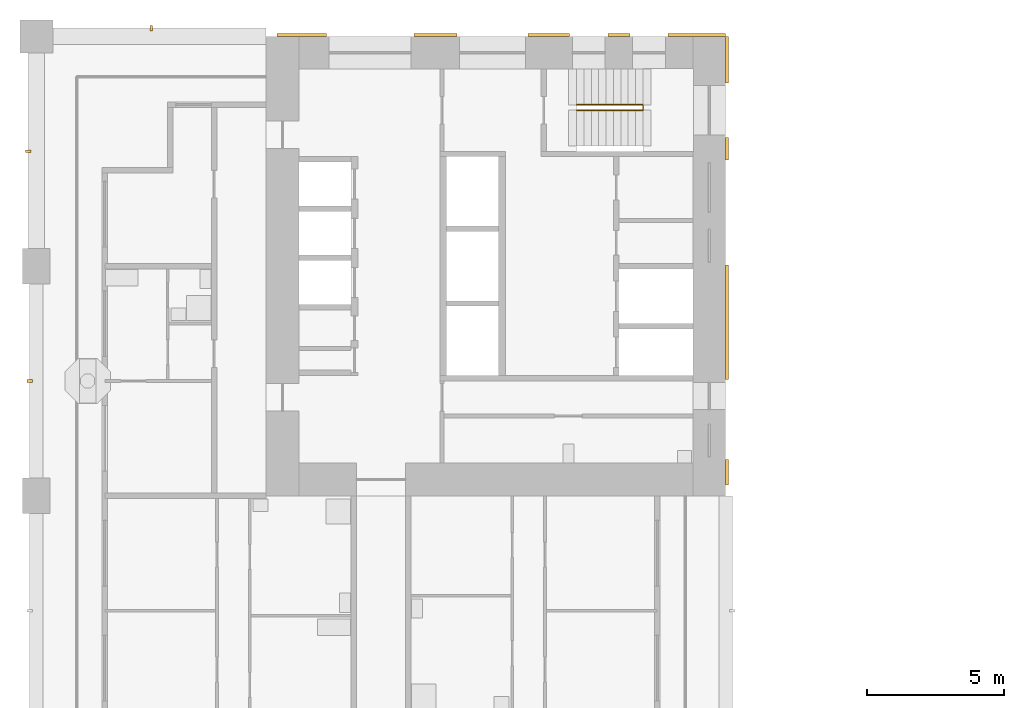
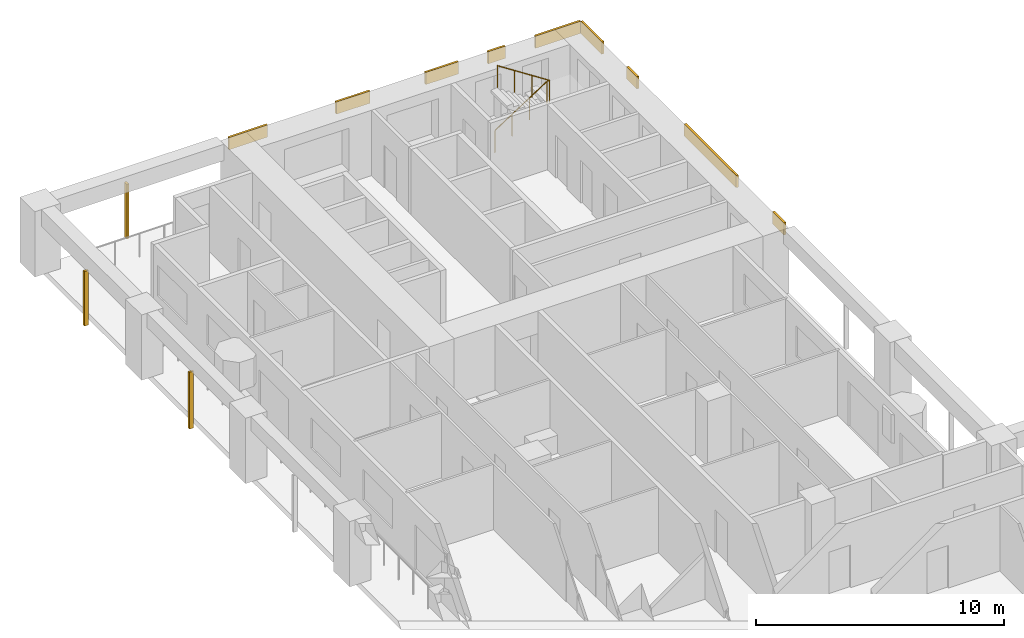
# One storey, part 14 of 18: 12 shading devices, 1 railing.
"""IFC4 building model written with IfcOpenShell, lengths in metres."""

from ifc_helpers import new_model, si_unit, direction, frame, origin, origin_2d, place, context, subcontext, project, spatial, rectangle, circle, extrude, material, layer, layer_set, material_profile, profile_set, type_object, element, save


model = new_model("IFC4")

# Units and contexts
model_context = context("Model", 3, precision=1e-05, world=origin(), true_north=direction((0.0, 1.0)))
body_context = subcontext(model_context, "Body", "Model", "MODEL_VIEW")
ifc_project = project(units=[si_unit("LENGTHUNIT", "METRE"), si_unit("AREAUNIT", "SQUARE_METRE"), si_unit("VOLUMEUNIT", "CUBIC_METRE"), si_unit("PLANEANGLEUNIT", "RADIAN"), si_unit("MASSUNIT", "GRAM", prefix="KILO")], contexts=[model_context])

# Site, building, storey
site_placement = place(None, origin())
site = spatial("IfcSite", under=ifc_project, at=site_placement, CompositionType="ELEMENT")
building_placement = place(site_placement, origin())
building = spatial("IfcBuilding", under=site, at=building_placement, Name="Vermilion Gate Residences", CompositionType="ELEMENT")
storey_placement = place(building_placement, frame((0.0, 0.0, 102.199951171875)))
storey = spatial("IfcBuildingStorey", under=building, at=storey_placement, Name="L25", CompositionType="ELEMENT", Elevation=102.199951171875)

# Railing
ifc_material_1 = material(Name="Steel S355", Category="steel")
railing_type = type_object("IfcRailingType", Name="STAIR GUARD 1100 STEEL", PredefinedType="GUARDRAIL", material=ifc_material_1)
railing_placement = place(storey_placement, frame((19.75, 56.300048828125, 0.175048828125)))
element("IfcRailing", 1, at=railing_placement, inside=storey, type_object=railing_type, Name="Stair well guard STB1-25", PredefinedType="GUARDRAIL", context=body_context, shape_type="SweptSolid", body=[
    extrude(circle(Radius=0.02392578125, at=origin_2d()), frame((0.0, 0.0, 1.076171875), z_axis=(0.839153699163, 0.0, 0.543894354798), x_axis=(0.0, 1.0, 0.0)), (0.0, 0.0, 1.0), 2.895751953125),
    extrude(circle(Radius=0.02392578125, at=origin_2d()), frame((2.429931640625, 0.0, 2.65087890625), z_axis=(0.0, -0.752405939678, 0.658699705433), x_axis=(1.0, 0.0, 0.0)), (0.0, 0.0, 1.0), 0.265869140625),
    extrude(circle(Radius=0.02392578125, at=origin_2d()), frame((2.429931640625, -0.199951171875, 2.826171875), z_axis=(-0.839153699163, 0.0, 0.543894354798), x_axis=(0.0, -1.0, 0.0)), (0.0, 0.0, 1.0), 2.895751953125),
    extrude(circle(Radius=0.02099609375, at=origin_2d()), origin(), (0.0, 0.0, 1.0), 1.052001953125),
    extrude(circle(Radius=0.02099609375, at=origin_2d()), frame((0.81005859375, 0.0, 0.52490234375)), (0.0, 0.0, 1.0), 1.052001953125),
    extrude(circle(Radius=0.02099609375, at=origin_2d()), frame((1.619873046875, 0.0, 1.050048828125)), (0.0, 0.0, 1.0), 1.052001953125),
    extrude(circle(Radius=0.02099609375, at=origin_2d()), frame((2.429931640625, 0.0, 1.574951171875)), (0.0, 0.0, 1.0), 1.052001953125),
    extrude(circle(Radius=0.02099609375, at=origin_2d()), frame((2.429931640625, -0.199951171875, 1.75)), (0.0, 0.0, 1.0), 1.052001953125),
    extrude(circle(Radius=0.02099609375, at=origin_2d()), frame((1.619873046875, -0.199951171875, 2.27490234375)), (0.0, 0.0, 1.0), 1.052001953125),
    extrude(circle(Radius=0.02099609375, at=origin_2d()), frame((0.81005859375, -0.199951171875, 2.800048828125)), (0.0, 0.0, 1.0), 1.052001953125),
    extrude(circle(Radius=0.02099609375, at=origin_2d()), frame((0.0, -0.199951171875, 3.324951171875)), (0.0, 0.0, 1.0), 1.052001953125),
])

# Shading devices
ifc_material_2 = material(Name="Extruded terracotta", Category="masonry")
ifc_material_profile = material_profile(ifc_material_2, rectangle(XDim=0.199951171875, YDim=0.10009765625, at=origin_2d()), Name="BAGUETTE 100 X 200")
ifc_profile_set = profile_set([ifc_material_profile], Name="Extruded terracotta")
shading_device_type_1 = type_object("IfcShadingDeviceType", Name="TERRACOTTA BAGUETTE 100 X 200", PredefinedType="JALOUSIE", material=ifc_profile_set)
shading_device_1_placement = place(storey_placement, frame((4.199951171875, 59.10009765625, -0.280029296875), z_axis=(0.0, 0.0, 1.0), x_axis=(0.0, -1.0, 0.0)))
element("IfcShadingDevice", 2, at=shading_device_1_placement, inside=storey, type_object=shading_device_type_1, Name="BAGUETTE", PredefinedType="JALOUSIE", context=body_context, shape_type="SweptSolid", body=[
    extrude(rectangle(XDim=0.199951171875, YDim=0.10009765625, at=origin_2d()), origin(), (0.0, 0.0, 1.0), 2.7001953125),
])
shading_device_2_placement = place(storey_placement, frame((-0.25, 46.199951171875, -0.280029296875), z_axis=(0.0, 0.0, 1.0), x_axis=(1.0, 0.0, 0.0)))
element("IfcShadingDevice", 3, at=shading_device_2_placement, inside=storey, type_object=shading_device_type_1, Name="BAGUETTE", PredefinedType="JALOUSIE", context=body_context, shape_type="SweptSolid", body=[
    extrude(rectangle(XDim=0.199951171875, YDim=0.10009765625, at=origin_2d()), origin(), (0.0, 0.0, 1.0), 2.800048828125),
])
shading_device_3_placement = place(storey_placement, frame((-0.300048828125, 54.60009765625, -0.280029296875), z_axis=(0.0, 0.0, 1.0), x_axis=(1.0, 0.0, 0.0)))
element("IfcShadingDevice", 4, at=shading_device_3_placement, inside=storey, type_object=shading_device_type_1, Name="BAGUETTE", PredefinedType="JALOUSIE", context=body_context, shape_type="SweptSolid", body=[
    extrude(rectangle(XDim=0.199951171875, YDim=0.10009765625, at=origin_2d()), origin(), (0.0, 0.0, 1.0), 2.7001953125),
])
ifc_material_3 = material(Name="Extruded terracotta", Category="masonry")
ifc_layer = layer(ifc_material_3, 0.10009765625)
ifc_layer_set = layer_set([ifc_layer], Name="TERRACOTTA SPANDREL BAND 600 X 100")
shading_device_type_2 = type_object("IfcShadingDeviceType", Name="TERRACOTTA SPANDREL BAND 600 X 100", PredefinedType="USERDEFINED", material=ifc_layer_set)
shading_device_4_placement = place(storey_placement, frame((9.702392578125, 58.85009765625, 2.6201171875), z_axis=(0.0, 0.0, 1.0), x_axis=(1.0, 0.0, 0.0)))
element("IfcShadingDevice", 5, at=shading_device_4_placement, inside=storey, type_object=shading_device_type_2, Name="SPANDREL BAND", ObjectType="BAND", PredefinedType="USERDEFINED", context=body_context, shape_type="SweptSolid", body=[
    extrude(rectangle(XDim=1.804931640625, YDim=0.10009765625, at=origin_2d()), origin(), (0.0, 0.0, 1.0), 0.60009765625),
])
shading_device_5_placement = place(storey_placement, frame((14.590087890625, 58.85009765625, 2.6201171875), z_axis=(0.0, 0.0, 1.0), x_axis=(1.0, 0.0, 0.0)))
element("IfcShadingDevice", 6, at=shading_device_5_placement, inside=storey, type_object=shading_device_type_2, Name="SPANDREL BAND", ObjectType="BAND", PredefinedType="USERDEFINED", context=body_context, shape_type="SweptSolid", body=[
    extrude(rectangle(XDim=1.570068359375, YDim=0.10009765625, at=origin_2d()), origin(), (0.0, 0.0, 1.0), 0.60009765625),
])
shading_device_6_placement = place(storey_placement, frame((18.734130859375, 58.85009765625, 2.6201171875), z_axis=(0.0, 0.0, 1.0), x_axis=(1.0, 0.0, 0.0)))
element("IfcShadingDevice", 7, at=shading_device_6_placement, inside=storey, type_object=shading_device_type_2, Name="SPANDREL BAND", ObjectType="BAND", PredefinedType="USERDEFINED", context=body_context, shape_type="SweptSolid", body=[
    extrude(rectangle(XDim=1.518310546875, YDim=0.10009765625, at=origin_2d()), origin(), (0.0, 0.0, 1.0), 0.60009765625),
])
shading_device_7_placement = place(storey_placement, frame((21.294921875, 58.85009765625, 2.6201171875), z_axis=(0.0, 0.0, 1.0), x_axis=(1.0, 0.0, 0.0)))
element("IfcShadingDevice", 8, at=shading_device_7_placement, inside=storey, type_object=shading_device_type_2, Name="SPANDREL BAND", ObjectType="BAND", PredefinedType="USERDEFINED", context=body_context, shape_type="SweptSolid", body=[
    extrude(rectangle(XDim=0.803466796875, YDim=0.10009765625, at=origin_2d()), origin(), (0.0, 0.0, 1.0), 0.60009765625),
])
shading_device_8_placement = place(storey_placement, frame((24.1484375, 58.85009765625, 2.6201171875), z_axis=(0.0, 0.0, 1.0), x_axis=(1.0, 0.0, 0.0)))
element("IfcShadingDevice", 9, at=shading_device_8_placement, inside=storey, type_object=shading_device_type_2, Name="SPANDREL BAND", ObjectType="BAND", PredefinedType="USERDEFINED", context=body_context, shape_type="SweptSolid", body=[
    extrude(rectangle(XDim=2.103271484375, YDim=0.10009765625, at=origin_2d()), origin(), (0.0, 0.0, 1.0), 0.60009765625),
])
shading_device_9_placement = place(storey_placement, frame((25.25, 42.862548828125, 2.6201171875), z_axis=(0.0, 0.0, 1.0), x_axis=(0.0, 1.0, 0.0)))
element("IfcShadingDevice", 10, at=shading_device_9_placement, inside=storey, type_object=shading_device_type_2, Name="SPANDREL BAND", ObjectType="BAND", PredefinedType="USERDEFINED", context=body_context, shape_type="SweptSolid", body=[
    extrude(rectangle(XDim=0.925048828125, YDim=0.10009765625, at=origin_2d()), origin(), (0.0, 0.0, 1.0), 0.60009765625),
])
shading_device_10_placement = place(storey_placement, frame((25.25, 48.35009765625, 2.6201171875), z_axis=(0.0, 0.0, 1.0), x_axis=(0.0, 1.0, 0.0)))
element("IfcShadingDevice", 11, at=shading_device_10_placement, inside=storey, type_object=shading_device_type_2, Name="SPANDREL BAND", ObjectType="BAND", PredefinedType="USERDEFINED", context=body_context, shape_type="SweptSolid", body=[
    extrude(rectangle(XDim=4.199951171875, YDim=0.10009765625, at=origin_2d()), origin(), (0.0, 0.0, 1.0), 0.60009765625),
])
shading_device_11_placement = place(storey_placement, frame((25.25, 54.6875, 2.6201171875), z_axis=(0.0, 0.0, 1.0), x_axis=(0.0, 1.0, 0.0)))
element("IfcShadingDevice", 12, at=shading_device_11_placement, inside=storey, type_object=shading_device_type_2, Name="SPANDREL BAND", ObjectType="BAND", PredefinedType="USERDEFINED", context=body_context, shape_type="SweptSolid", body=[
    extrude(rectangle(XDim=0.824951171875, YDim=0.10009765625, at=origin_2d()), origin(), (0.0, 0.0, 1.0), 0.60009765625),
])
shading_device_12_placement = place(storey_placement, frame((25.25, 57.949951171875, 2.6201171875), z_axis=(0.0, 0.0, 1.0), x_axis=(0.0, 1.0, 0.0)))
element("IfcShadingDevice", 13, at=shading_device_12_placement, inside=storey, type_object=shading_device_type_2, Name="SPANDREL BAND", ObjectType="BAND", PredefinedType="USERDEFINED", context=body_context, shape_type="SweptSolid", body=[
    extrude(rectangle(XDim=1.699951171875, YDim=0.10009765625, at=origin_2d()), origin(), (0.0, 0.0, 1.0), 0.60009765625),
])

save(model, "model.ifc")
